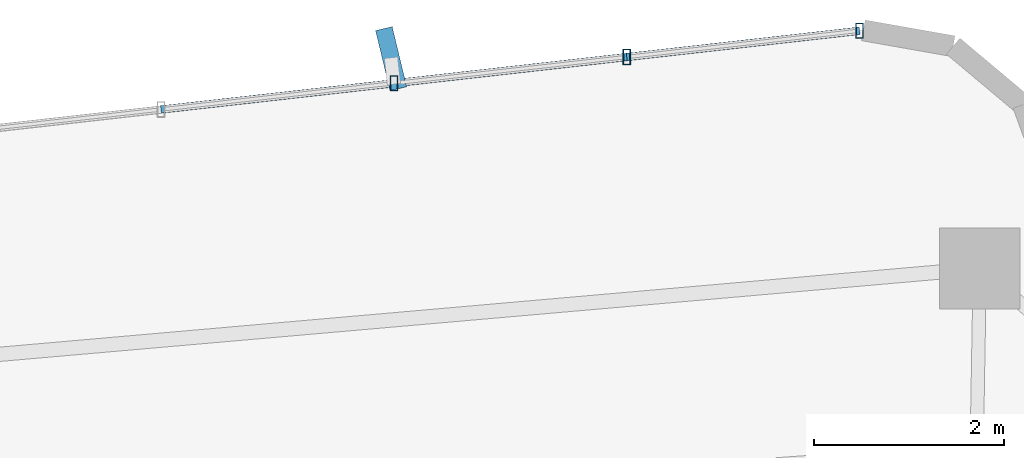
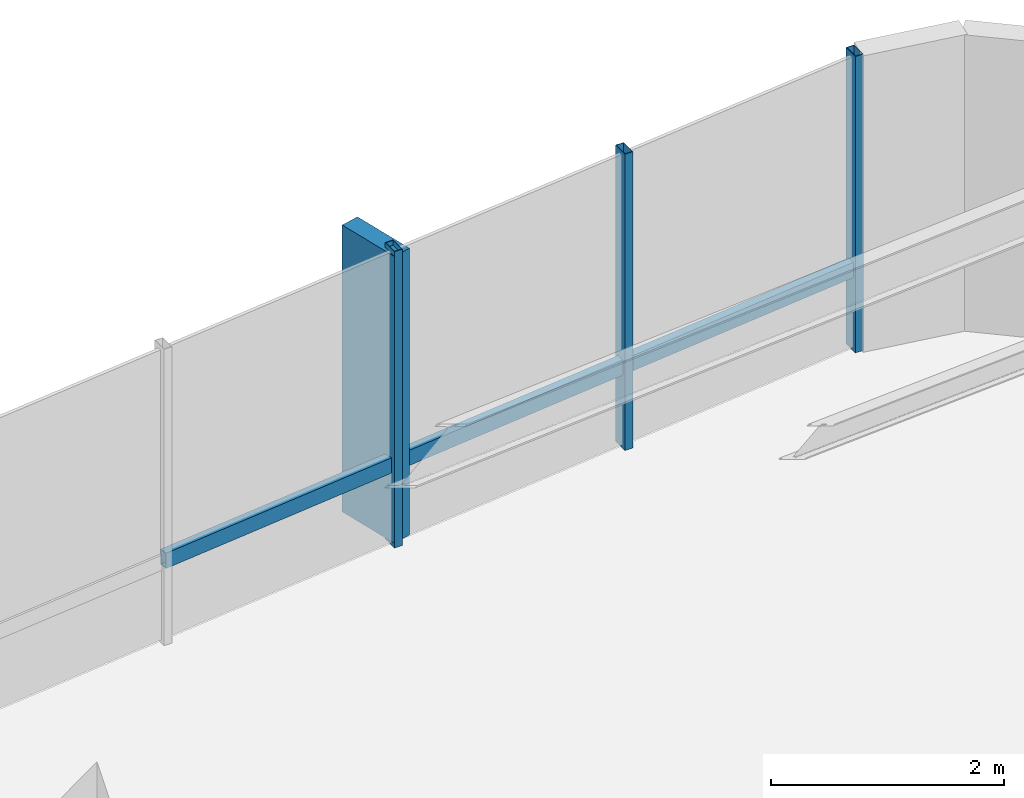
# One storey, part 18 of 24: 7 members, 1 element without a shape of its own.
"""IFC4 building model written with IfcOpenShell, lengths in metres."""

from ifc_helpers import new_model, si_unit, direction, frame, origin, origin_2d, place, context, subcontext, project, spatial, rectangle, hollow_rectangle, extrude, source, transform, mapped, material, material_profile, profile_set, type_object, element, aggregate, save


model = new_model("IFC4")

# Units and contexts
model_context = context("Model", 3, precision=1e-05, world=origin(), true_north=direction((0.0, 1.0)))
body_context = subcontext(model_context, "Body", "Model", "MODEL_VIEW")
ifc_project = project(units=[si_unit("LENGTHUNIT", "METRE"), si_unit("AREAUNIT", "SQUARE_METRE"), si_unit("VOLUMEUNIT", "CUBIC_METRE"), si_unit("PLANEANGLEUNIT", "RADIAN"), si_unit("MASSUNIT", "GRAM", prefix="KILO")], contexts=[model_context])

# Site, building, storey
site_placement = place(None, origin())
site = spatial("IfcSite", under=ifc_project, at=site_placement, CompositionType="ELEMENT")
building_placement = place(site_placement, origin())
building = spatial("IfcBuilding", under=site, at=building_placement, Name="Sahyath Konkavel Grand Hotel", CompositionType="ELEMENT")
storey_placement = place(building_placement, frame((0.0, 0.0, 185.25)))
storey = spatial("IfcBuildingStorey", under=building, at=storey_placement, Name="L51", CompositionType="ELEMENT", Elevation=185.25)

# Curtain wall, members
ifc_material_1 = material(Name="Anodised Bronze Aluminium & Low-E Glazing", Category="aluminium")
curtain_wall_type = type_object("IfcCurtainWallType", Name="CW-ZONE3", PredefinedType="NOTDEFINED", material=ifc_material_1)
curtain_wall_placement = place(storey_placement, origin())
curtain_wall = element("IfcCurtainWall", 1, at=curtain_wall_placement, inside=storey, type_object=curtain_wall_type, Name="L51 Unitised Curtain Wall F12", PredefinedType="NOTDEFINED")
ifc_material_2 = material(Name="Warm Buff Sandstone Cladding on Concrete C50/60", Category="masonry")
ifc_material_profile_1 = material_profile(ifc_material_2, rectangle(XDim=0.179931640625, YDim=0.64990234375, at=origin_2d()), Name="FIN 180x650")
ifc_profile_set_1 = profile_set([ifc_material_profile_1], Name="Warm Buff Sandstone Cladding on Concrete C50/60")
member_type_1 = type_object("IfcMemberType", Name="FIN-SANDSTONE-650", PredefinedType="MULLION", material=ifc_profile_set_1)
shared_shape_1 = source(origin(), body_context, "Body", "SweptSolid", [
    extrude(rectangle(XDim=0.179931640625, YDim=0.64990234375, at=origin_2d()), origin(), (0.0, 0.0, 1.0), 3.010009765625),
])
member_1_placement = place(storey_placement, frame((-2.248291015625, 20.3173828125, 0.050048828125), z_axis=(0.0, 0.0, 1.0), x_axis=(0.972369920398, 0.233445363856, 0.0)))
member_1 = element("IfcMember", 2, at=member_1_placement, type_object=member_type_1, Name="L51 Sandstone Vertical Solar Fin FIN F12-2", PredefinedType="MULLION", context=body_context, shape_type="MappedRepresentation", body=[
    mapped(shared_shape_1, transform((0.0, 0.0, 0.0), scale=1.0)),
])
ifc_material_3 = material(Name="Anodised Bronze Aluminium", Category="aluminium")
ifc_material_profile_2 = material_profile(ifc_material_3, hollow_rectangle(XDim=0.080078125, YDim=0.159912109375, WallThickness=0.006103515625, at=origin_2d()), Name="RHS 160x80x6")
ifc_profile_set_2 = profile_set([ifc_material_profile_2], Name="Anodised Bronze Aluminium")
member_type_2 = type_object("IfcMemberType", Name="CW-MUL-160", PredefinedType="MULLION", material=ifc_profile_set_2)
shared_shape_2 = source(origin(), body_context, "Body", "SweptSolid", [
    extrude(hollow_rectangle(XDim=0.080078125, YDim=0.159912109375, WallThickness=0.006103515625, at=origin_2d()), origin(), (0.0, 0.0, 1.0), 3.110107421875),
])
member_2_placement = place(storey_placement, frame((2.673828125, 20.610595703125, 0.0), z_axis=(0.0, 0.0, 1.0), x_axis=(1.0, 0.0, 0.0)))
member_2 = element("IfcMember", 3, at=member_2_placement, type_object=member_type_2, Name="L51 Curtain Wall Mullion F12-0", PredefinedType="MULLION", context=body_context, shape_type="MappedRepresentation", body=[
    mapped(shared_shape_2, transform((0.0, 0.0, 0.0), scale=1.0)),
])
member_3_placement = place(storey_placement, frame((0.227294921875, 20.334716796875, 0.0), z_axis=(0.0, 0.0, 1.0), x_axis=(1.0, 0.0, 0.0)))
member_3 = element("IfcMember", 4, at=member_3_placement, type_object=member_type_2, Name="L51 Curtain Wall Mullion F12-1", PredefinedType="MULLION", context=body_context, shape_type="MappedRepresentation", body=[
    mapped(shared_shape_2, transform((0.0, 0.0, 0.0), scale=1.0)),
])
member_4_placement = place(storey_placement, frame((-2.21923828125, 20.05908203125, 0.0), z_axis=(0.0, 0.0, 1.0), x_axis=(1.0, 0.0, 0.0)))
member_4 = element("IfcMember", 5, at=member_4_placement, type_object=member_type_2, Name="L51 Curtain Wall Mullion F12-2", PredefinedType="MULLION", context=body_context, shape_type="MappedRepresentation", body=[
    mapped(shared_shape_2, transform((0.0, 0.0, 0.0), scale=1.0)),
])
ifc_material_profile_3 = material_profile(ifc_material_3, hollow_rectangle(XDim=0.080078125, YDim=0.159912109375, WallThickness=0.006103515625, at=origin_2d()), Name="RHS 160x80x6")
ifc_profile_set_3 = profile_set([ifc_material_profile_3], Name="Anodised Bronze Aluminium")
member_type_3 = type_object("IfcMemberType", Name="CW-TRN-160", PredefinedType="USERDEFINED", material=ifc_profile_set_3)
shared_shape_3 = source(origin(), body_context, "Body", "SweptSolid", [
    extrude(hollow_rectangle(XDim=0.080078125, YDim=0.159912109375, WallThickness=0.006103515625, at=origin_2d()), origin(), (0.0, 0.0, 1.0), 2.462158203125),
])
member_5_placement = place(storey_placement, frame((2.673828125, 20.610595703125, 0.85009765625), z_axis=(-0.99370222711, -0.112053040279, 0.0), x_axis=(0.112053040279, -0.99370222711, 0.0)))
member_5 = element("IfcMember", 6, at=member_5_placement, type_object=member_type_3, Name="L51 Curtain Wall Transom F12-0-spandrel", ObjectType="TRANSOM", PredefinedType="USERDEFINED", context=body_context, shape_type="MappedRepresentation", body=[
    mapped(shared_shape_3, transform((0.0, 0.0, 0.0), scale=1.0)),
])
member_6_placement = place(storey_placement, frame((-2.21923828125, 20.05908203125, 0.85009765625), z_axis=(-0.99370222711, -0.112053040279, 0.0), x_axis=(0.112053040279, -0.99370222711, 0.0)))
member_6 = element("IfcMember", 7, at=member_6_placement, type_object=member_type_3, Name="L51 Curtain Wall Transom F12-2-spandrel", ObjectType="TRANSOM", PredefinedType="USERDEFINED", context=body_context, shape_type="MappedRepresentation", body=[
    mapped(shared_shape_3, transform((0.0, 0.0, 0.0), scale=1.0)),
])
shared_shape_4 = source(origin(), body_context, "Body", "SweptSolid", [
    extrude(hollow_rectangle(XDim=0.080078125, YDim=0.159912109375, WallThickness=0.006103515625, at=origin_2d()), origin(), (0.0, 0.0, 1.0), 2.4619140625),
])
member_7_placement = place(storey_placement, frame((0.227294921875, 20.334716796875, 0.85009765625), z_axis=(-0.993713263833, -0.111955121731, 0.0), x_axis=(0.111955121731, -0.993713263833, 0.0)))
member_7 = element("IfcMember", 8, at=member_7_placement, type_object=member_type_3, Name="L51 Curtain Wall Transom F12-1-spandrel", ObjectType="TRANSOM", PredefinedType="USERDEFINED", context=body_context, shape_type="MappedRepresentation", body=[
    mapped(shared_shape_4, transform((0.0, 0.0, 0.0), scale=1.0)),
])
aggregate(curtain_wall, [member_2, member_3, member_4, member_1, member_5, member_7, member_6])

save(model, "model.ifc")
